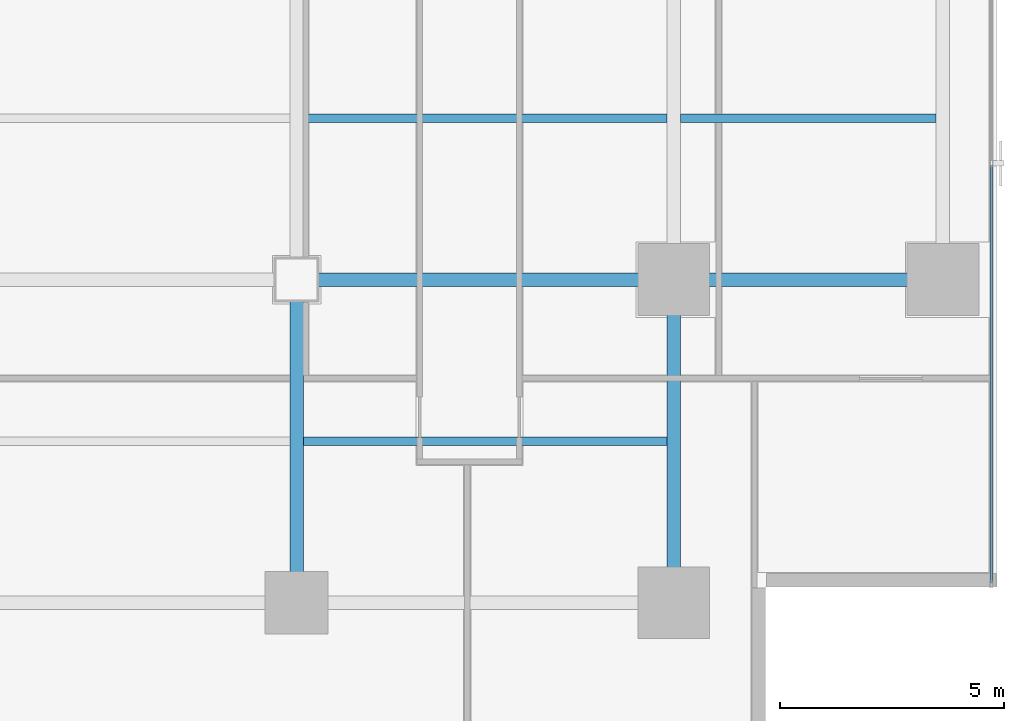
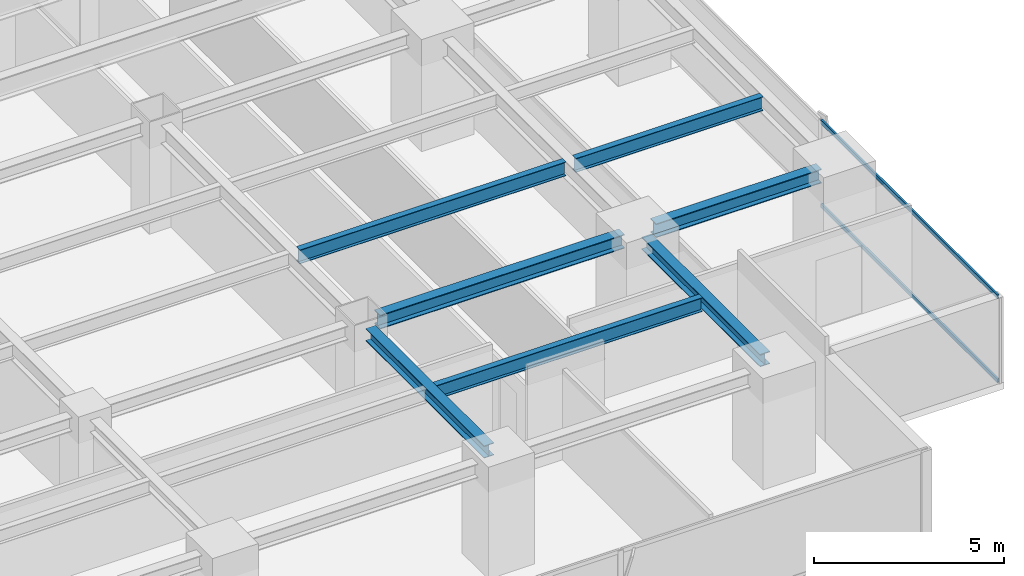
# One storey, part 10 of 28: 7 beams, 2 members, 1 element without a shape of its own.
"""IFC4 building model written with IfcOpenShell, lengths in metres."""

from ifc_helpers import new_model, si_unit, direction, frame, origin, origin_2d, place, context, subcontext, project, spatial, hollow_rectangle, i_section, extrude, source, transform, mapped, material, layer, layer_set, material_profile, profile_set, type_object, element, aggregate, save


model = new_model("IFC4")

# Units and contexts
model_context = context("Model", 3, precision=1e-05, world=origin(), true_north=direction((0.0, 1.0)))
body_context = subcontext(model_context, "Body", "Model", "MODEL_VIEW")
ifc_project = project(units=[si_unit("LENGTHUNIT", "METRE"), si_unit("AREAUNIT", "SQUARE_METRE"), si_unit("VOLUMEUNIT", "CUBIC_METRE"), si_unit("PLANEANGLEUNIT", "RADIAN"), si_unit("MASSUNIT", "GRAM", prefix="KILO")], contexts=[model_context])

# Site, building, storey
site_placement = place(None, origin())
site = spatial("IfcSite", under=ifc_project, at=site_placement, CompositionType="ELEMENT")
building_placement = place(site_placement, origin())
building = spatial("IfcBuilding", under=site, at=building_placement, Name="Sumidabori Civic Tower", CompositionType="ELEMENT")
storey_placement = place(building_placement, frame((0.0, 0.0, 182.0)))
storey = spatial("IfcBuildingStorey", under=building, at=storey_placement, Name="L47", CompositionType="ELEMENT", Elevation=182.0)

# Beams
ifc_material_1 = material(Name="Steel SN490", Category="steel")
ifc_material_profile_1 = material_profile(ifc_material_1, i_section(OverallWidth=0.300048828125, OverallDepth=0.39990234375, WebThickness=0.013427734375, FlangeThickness=0.02392578125, at=origin_2d()), Name="HE 400 B")
ifc_profile_set_1 = profile_set([ifc_material_profile_1], Name="Steel SN490")
beam_type_1 = type_object("IfcBeamType", Name="BM-GIRD-400", PredefinedType="BEAM", material=ifc_profile_set_1)
shared_shape_1 = source(origin(), body_context, "Body", "SweptSolid", [
    extrude(i_section(OverallWidth=0.300048828125, OverallDepth=0.39990234375, WebThickness=0.013427734375, FlangeThickness=0.02392578125, at=origin_2d()), origin(), (0.0, 0.0, 1.0), 6.239990234375),
])
for number, where, z_axis, x_axis, name in (
    (1, (8.39990234375, -17.52001953125, 3.179931640625), (0.0, 1.0, 0.0), (-1.0, 0.0, 0.0), "Primary Girder L47 GY-30"),
    (2, (16.800048828125, -17.52001953125, 3.179931640625), (0.0, 1.0, 0.0), (-1.0, 0.0, 0.0), "Primary Girder L47 GY-32"),
):
    element("IfcBeam", number, at=place(storey_placement, frame(where, z_axis=z_axis, x_axis=x_axis)), inside=storey, type_object=beam_type_1, Name=name, PredefinedType="BEAM", context=body_context, shape_type="MappedRepresentation", body=[
        mapped(shared_shape_1, transform((0.0, 0.0, 0.0), x_axis=(1.0, 0.0, 0.0), y_axis=(0.0, 1.0, 0.0), z_axis=(0.0, 0.0, 1.0), scale=1.0)),
    ])
ifc_material_profile_2 = material_profile(ifc_material_1, i_section(OverallWidth=0.18994140625, OverallDepth=0.449951171875, WebThickness=0.009521484375, FlangeThickness=0.0146484375, at=origin_2d()), Name="IPE 450")
ifc_profile_set_2 = profile_set([ifc_material_profile_2], Name="Steel SN490")
beam_type_2 = type_object("IfcBeamType", Name="BM-JST-450", PredefinedType="JOIST", material=ifc_profile_set_2)
shared_shape_2 = source(origin(), body_context, "Body", "SweptSolid", [
    extrude(i_section(OverallWidth=0.18994140625, OverallDepth=0.449951171875, WebThickness=0.009521484375, FlangeThickness=0.0146484375, at=origin_2d()), origin(), (0.0, 0.0, 1.0), 5.699951171875),
])
beam_1_placement = place(storey_placement, frame((16.949951171875, -7.199951171875, 3.155029296875), z_axis=(1.0, 0.0, 0.0), x_axis=(0.0, 1.0, 0.0)))
element("IfcBeam", 3, at=beam_1_placement, inside=storey, type_object=beam_type_2, Name="Outer Bay Floor Joist L47 JSTO-40", PredefinedType="JOIST", context=body_context, shape_type="MappedRepresentation", body=[
    mapped(shared_shape_2, transform((0.0, 0.0, 0.0), x_axis=(1.0, 0.0, 0.0), y_axis=(0.0, 1.0, 0.0), z_axis=(0.0, 0.0, 1.0), scale=1.0)),
])
shared_shape_3 = source(origin(), body_context, "Body", "SweptSolid", [
    extrude(i_section(OverallWidth=0.18994140625, OverallDepth=0.449951171875, WebThickness=0.009521484375, FlangeThickness=0.0146484375, at=origin_2d()), origin(), (0.0, 0.0, 1.0), 8.099853515625),
])
for number, where, z_axis, x_axis, name in (
    (4, (8.550048828125, -14.39990234375, 3.155029296875), (1.0, 0.0, 0.0), (0.0, 1.0, 0.0), "South Bay Floor Joist L47 JSTS-52"),
    (5, (8.550048828125, -7.199951171875, 3.155029296875), (1.0, 0.0, 0.0), (0.0, 1.0, 0.0), "South Bay Floor Joist L47 JSTS-56"),
):
    element("IfcBeam", number, at=place(storey_placement, frame(where, z_axis=z_axis, x_axis=x_axis)), inside=storey, type_object=beam_type_2, Name=name, PredefinedType="JOIST", context=body_context, shape_type="MappedRepresentation", body=[
        mapped(shared_shape_3, transform((0.0, 0.0, 0.0), x_axis=(1.0, 0.0, 0.0), y_axis=(0.0, 1.0, 0.0), z_axis=(0.0, 0.0, 1.0), scale=1.0)),
    ])
ifc_material_profile_3 = material_profile(ifc_material_1, i_section(OverallWidth=0.300048828125, OverallDepth=0.449951171875, WebThickness=0.013916015625, FlangeThickness=0.02587890625, at=origin_2d()), Name="HE 450 B")
ifc_profile_set_3 = profile_set([ifc_material_profile_3], Name="Steel SN490")
beam_type_3 = type_object("IfcBeamType", Name="BM-GIRD-450", PredefinedType="BEAM", material=ifc_profile_set_3)
shared_shape_4 = source(origin(), body_context, "Body", "SweptSolid", [
    extrude(i_section(OverallWidth=0.300048828125, OverallDepth=0.449951171875, WebThickness=0.013916015625, FlangeThickness=0.02587890625, at=origin_2d()), origin(), (0.0, 0.0, 1.0), 7.440185546875),
])
beam_2_placement = place(storey_placement, frame((8.8798828125, -10.800048828125, 3.155029296875), z_axis=(1.0, 0.0, 0.0), x_axis=(0.0, 1.0, 0.0)))
element("IfcBeam", 6, at=beam_2_placement, inside=storey, type_object=beam_type_3, Name="Primary Girder L47 GX-09", PredefinedType="BEAM", context=body_context, shape_type="MappedRepresentation", body=[
    mapped(shared_shape_4, transform((0.0, 0.0, 0.0), x_axis=(1.0, 0.0, 0.0), y_axis=(0.0, 1.0, 0.0), z_axis=(0.0, 0.0, 1.0), scale=1.0)),
])
shared_shape_5 = source(origin(), body_context, "Body", "SweptSolid", [
    extrude(i_section(OverallWidth=0.300048828125, OverallDepth=0.449951171875, WebThickness=0.013916015625, FlangeThickness=0.02587890625, at=origin_2d()), origin(), (0.0, 0.0, 1.0), 5.0400390625),
])
beam_3_placement = place(storey_placement, frame((17.280029296875, -10.800048828125, 3.155029296875), z_axis=(1.0, 0.0, 0.0), x_axis=(0.0, 1.0, 0.0)))
element("IfcBeam", 7, at=beam_3_placement, inside=storey, type_object=beam_type_3, Name="Primary Girder L47 GX-10", PredefinedType="BEAM", context=body_context, shape_type="MappedRepresentation", body=[
    mapped(shared_shape_5, transform((0.0, 0.0, 0.0), x_axis=(1.0, 0.0, 0.0), y_axis=(0.0, 1.0, 0.0), z_axis=(0.0, 0.0, 1.0), scale=1.0)),
])

# Curtain wall, members
ifc_material_2 = material(Name="Anodised Bronze Aluminium AW-6063-T6", Category="aluminium")
ifc_layer = layer(ifc_material_2, 0.179931640625, Name="Anodised Bronze Aluminium AW-6063-T6")
ifc_layer_set = layer_set([ifc_layer], Name="Anodised Bronze Aluminium AW-6063-T6")
curtain_wall_type = type_object("IfcCurtainWallType", Name="CW-SYS-3", PredefinedType="NOTDEFINED", material=ifc_layer_set)
curtain_wall_placement = place(storey_placement, origin())
curtain_wall = element("IfcCurtainWall", 8, at=curtain_wall_placement, inside=storey, type_object=curtain_wall_type, Name="Curtain Wall CW:L47:R04", PredefinedType="NOTDEFINED")
ifc_material_profile_4 = material_profile(ifc_material_2, hollow_rectangle(XDim=0.06005859375, YDim=0.1298828125, WallThickness=0.0048828125, at=origin_2d()), Name="ALU TRANSOM 130x60")
ifc_profile_set_4 = profile_set([ifc_material_profile_4], Name="Anodised Bronze Aluminium AW-6063-T6")
member_type = type_object("IfcMemberType", Name="CW-TRN-130", PredefinedType="USERDEFINED", material=ifc_profile_set_4)
shared_shape_6 = source(origin(), body_context, "Body", "SweptSolid", [
    extrude(hollow_rectangle(XDim=0.06005859375, YDim=0.1298828125, WallThickness=0.0048828125, at=origin_2d()), origin(), (0.0, 0.0, 1.0), 9.3125),
])
member_1_placement = place(storey_placement, frame((23.8798828125, -17.554931640625, 0.030029296875), z_axis=(0.0, 1.0, 0.0), x_axis=(-1.0, 0.0, 0.0)))
member_1 = element("IfcMember", 9, at=member_1_placement, type_object=member_type, Name="CW-3 transom 1.1", ObjectType="TRANSOM", PredefinedType="USERDEFINED", context=body_context, shape_type="MappedRepresentation", body=[
    mapped(shared_shape_6, transform((0.0, 0.0, 0.0), x_axis=(1.0, 0.0, 0.0), y_axis=(0.0, 1.0, 0.0), z_axis=(0.0, 0.0, 1.0), scale=1.0)),
])
member_2_placement = place(storey_placement, frame((23.8798828125, -17.554931640625, 2.72998046875), z_axis=(0.0, 1.0, 0.0), x_axis=(-1.0, 0.0, 0.0)))
member_2 = element("IfcMember", 10, at=member_2_placement, type_object=member_type, Name="CW-3 transom 1.2", ObjectType="TRANSOM", PredefinedType="USERDEFINED", context=body_context, shape_type="MappedRepresentation", body=[
    mapped(shared_shape_6, transform((0.0, 0.0, 0.0), x_axis=(1.0, 0.0, 0.0), y_axis=(0.0, 1.0, 0.0), z_axis=(0.0, 0.0, 1.0), scale=1.0)),
])
aggregate(curtain_wall, [member_1, member_2])

save(model, "model.ifc")
